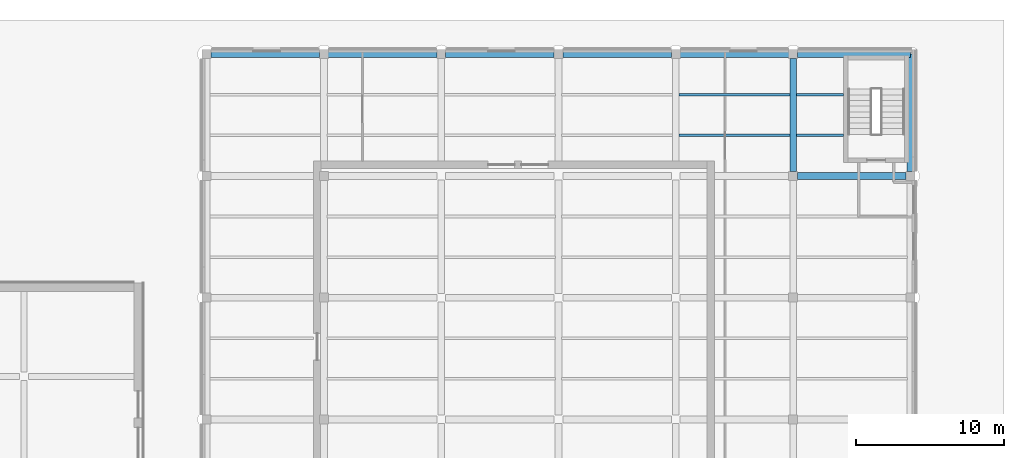
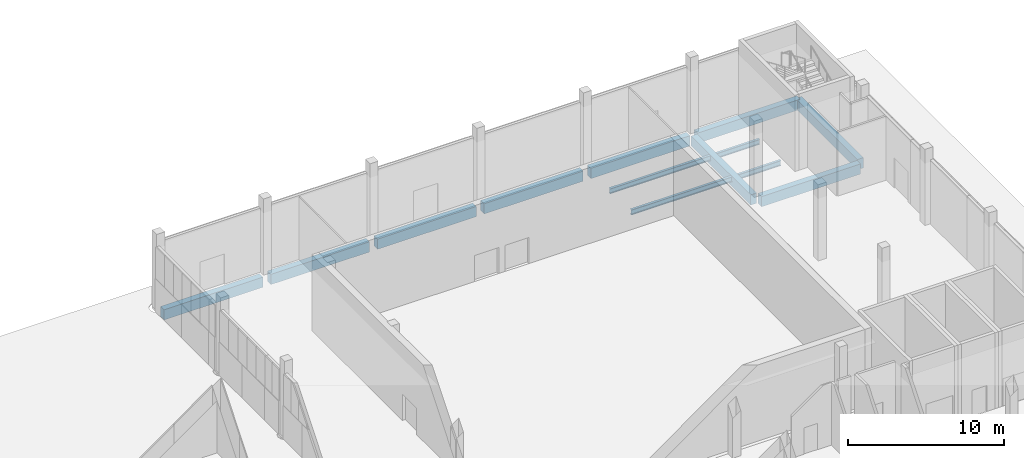
# One storey, part 62 of 155: 13 beams.
"""IFC4 building model written with IfcOpenShell, lengths in metres."""

from ifc_helpers import new_model, si_unit, direction, frame, origin, origin_2d, place, context, subcontext, project, spatial, rectangle, i_section, extrude, material, material_profile, profile_set, type_object, element, save


model = new_model("IFC4")

# Units and contexts
model_context = context("Model", 3, precision=1e-05, world=origin(), true_north=direction((0.0, 1.0)))
body_context = subcontext(model_context, "Body", "Model", "MODEL_VIEW")
ifc_project = project(units=[si_unit("LENGTHUNIT", "METRE"), si_unit("AREAUNIT", "SQUARE_METRE"), si_unit("VOLUMEUNIT", "CUBIC_METRE"), si_unit("PLANEANGLEUNIT", "RADIAN"), si_unit("MASSUNIT", "GRAM", prefix="KILO")], contexts=[model_context])

# Site, building, storey
site_placement = place(None, origin())
site = spatial("IfcSite", under=ifc_project, at=site_placement, CompositionType="ELEMENT")
building_placement = place(site_placement, origin())
building = spatial("IfcBuilding", under=site, at=building_placement, Name="Lunette Opera House", CompositionType="ELEMENT")
storey_placement = place(building_placement, origin())
storey = spatial("IfcBuildingStorey", under=building, at=storey_placement, Name="L00", CompositionType="ELEMENT", Elevation=0.0)

# Beams
ifc_material_1 = material(Name="Concrete C35/45", Category="concrete")
ifc_material_profile_1 = material_profile(ifc_material_1, rectangle(XDim=0.449951171875, YDim=0.800048828125, at=origin_2d()), Name="RC BEAM 450X800")
ifc_profile_set_1 = profile_set([ifc_material_profile_1], Name="Concrete C35/45")
beam_type_1 = type_object("IfcBeamType", Name="RC BEAM 450X800", PredefinedType="BEAM", material=ifc_profile_set_1)
beam_1_placement = place(storey_placement, frame((175.800048828125, 127.7900390625, -0.550048828125), z_axis=(0.0, 1.0, 0.0), x_axis=(-1.0, 0.0, 0.0)))
element("IfcBeam", 1, at=beam_1_placement, inside=storey, type_object=beam_type_1, Name="beam-WW-L00-L00-GY56", PredefinedType="BEAM", context=body_context, shape_type="SweptSolid", body=[
    extrude(rectangle(XDim=0.449951171875, YDim=0.800048828125, at=origin_2d()), origin(), (0.0, 0.0, 1.0), 7.619873046875),
])
beam_2_placement = place(storey_placement, frame((183.699951171875, 127.7900390625, -0.550048828125), z_axis=(0.0, 1.0, 0.0), x_axis=(-1.0, 0.0, 0.0)))
element("IfcBeam", 2, at=beam_2_placement, inside=storey, type_object=beam_type_1, Name="beam-WW-L00-L00-GY66", PredefinedType="BEAM", context=body_context, shape_type="SweptSolid", body=[
    extrude(rectangle(XDim=0.449951171875, YDim=0.800048828125, at=origin_2d()), origin(), (0.0, 0.0, 1.0), 7.909912109375),
])
for number, where, z_axis, x_axis, name in (
    (3, (176.090087890625, 127.5, -0.550048828125), (1.0, 0.0, 0.0), (0.0, 1.0, 0.0), "beam-WW-L00-L00-GX56"),
    (4, (136.590087890625, 135.699951171875, -0.550048828125), (1.0, 0.0, 0.0), (0.0, 1.0, 0.0), "beam-WW-L00-L00-GX07"),
):
    element("IfcBeam", number, at=place(storey_placement, frame(where, z_axis=z_axis, x_axis=x_axis)), inside=storey, type_object=beam_type_1, Name=name, PredefinedType="BEAM", context=body_context, shape_type="SweptSolid", body=[
        extrude(rectangle(XDim=0.449951171875, YDim=0.800048828125, at=origin_2d()), origin(), (0.0, 0.0, 1.0), 7.31982421875),
    ])
for number, where, z_axis, x_axis, name in (
    (5, (144.489990234375, 135.699951171875, -0.550048828125), (1.0, 0.0, 0.0), (0.0, 1.0, 0.0), "beam-WW-L00-L00-GX17"),
    (6, (152.389892578125, 135.699951171875, -0.550048828125), (1.0, 0.0, 0.0), (0.0, 1.0, 0.0), "beam-WW-L00-L00-GX27"),
    (7, (160.2900390625, 135.699951171875, -0.550048828125), (1.0, 0.0, 0.0), (0.0, 1.0, 0.0), "beam-WW-L00-L00-GX37"),
    (8, (168.18994140625, 135.699951171875, -0.550048828125), (1.0, 0.0, 0.0), (0.0, 1.0, 0.0), "beam-WW-L00-L00-GX47"),
):
    element("IfcBeam", number, at=place(storey_placement, frame(where, z_axis=z_axis, x_axis=x_axis)), inside=storey, type_object=beam_type_1, Name=name, PredefinedType="BEAM", context=body_context, shape_type="SweptSolid", body=[
        extrude(rectangle(XDim=0.449951171875, YDim=0.800048828125, at=origin_2d()), origin(), (0.0, 0.0, 1.0), 7.320068359375),
    ])
beam_3_placement = place(storey_placement, frame((176.090087890625, 135.699951171875, -0.550048828125), z_axis=(1.0, 0.0, 0.0), x_axis=(0.0, 1.0, 0.0)))
element("IfcBeam", 9, at=beam_3_placement, inside=storey, type_object=beam_type_1, Name="beam-WW-L00-L00-GX57", PredefinedType="BEAM", context=body_context, shape_type="SweptSolid", body=[
    extrude(rectangle(XDim=0.449951171875, YDim=0.800048828125, at=origin_2d()), origin(), (0.0, 0.0, 1.0), 7.60986328125),
])
ifc_material_2 = material(Name="Steel S355", Category="steel")
ifc_material_profile_2 = material_profile(ifc_material_2, i_section(OverallWidth=0.179931640625, OverallDepth=0.39990234375, WebThickness=0.008544921875, FlangeThickness=0.013427734375, FilletRadius=0.02099609375, at=origin_2d()), Name="IPE 400")
ifc_profile_set_2 = profile_set([ifc_material_profile_2], Name="Steel S355")
beam_type_2 = type_object("IfcBeamType", Name="STEEL BEAM IPE 400", PredefinedType="BEAM", material=ifc_profile_set_2)
for number, where, z_axis, x_axis, name in (
    (10, (168.114990234375, 130.23291015625, -0.35009765625), (1.0, 0.0, 0.0), (0.0, 1.0, 0.0), "beam-WW-L00-L00-SX461"),
    (11, (168.114990234375, 132.967041015625, -0.35009765625), (1.0, 0.0, 0.0), (0.0, 1.0, 0.0), "beam-WW-L00-L00-SX462"),
):
    element("IfcBeam", number, at=place(storey_placement, frame(where, z_axis=z_axis, x_axis=x_axis)), inside=storey, type_object=beam_type_2, Name=name, PredefinedType="BEAM", context=body_context, shape_type="SweptSolid", body=[
        extrude(i_section(OverallWidth=0.179931640625, OverallDepth=0.39990234375, WebThickness=0.008544921875, FlangeThickness=0.013427734375, FilletRadius=0.02099609375, at=origin_2d()), origin(), (0.0, 0.0, 1.0), 7.469970703125),
    ])
for number, where, z_axis, x_axis, name in (
    (12, (176.014892578125, 130.23291015625, -0.35009765625), (1.0, 0.0, 0.0), (0.0, 1.0, 0.0), "beam-WW-L00-L00-SX561"),
    (13, (176.014892578125, 132.967041015625, -0.35009765625), (1.0, 0.0, 0.0), (0.0, 1.0, 0.0), "beam-WW-L00-L00-SX562"),
):
    element("IfcBeam", number, at=place(storey_placement, frame(where, z_axis=z_axis, x_axis=x_axis)), inside=storey, type_object=beam_type_2, Name=name, PredefinedType="BEAM", context=body_context, shape_type="SweptSolid", body=[
        extrude(i_section(OverallWidth=0.179931640625, OverallDepth=0.39990234375, WebThickness=0.008544921875, FlangeThickness=0.013427734375, FilletRadius=0.02099609375, at=origin_2d()), origin(), (0.0, 0.0, 1.0), 3.18505859375),
    ])

save(model, "model.ifc")
